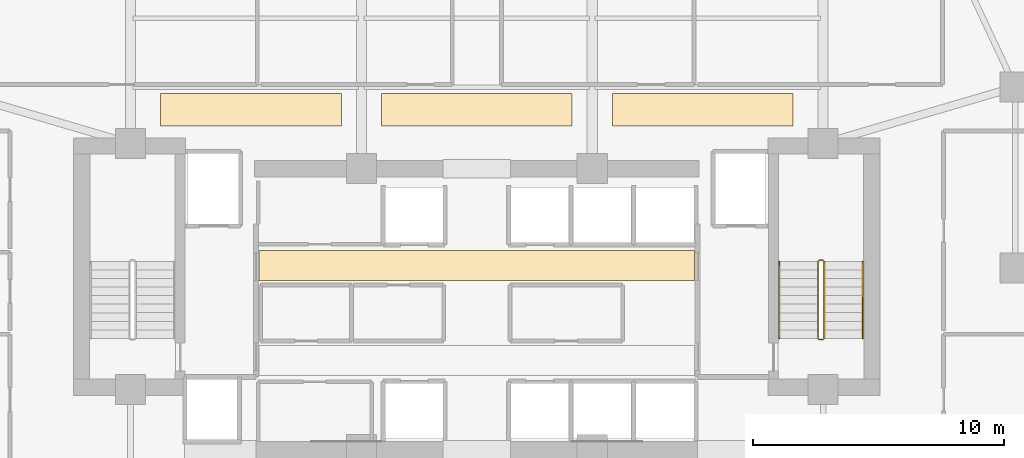
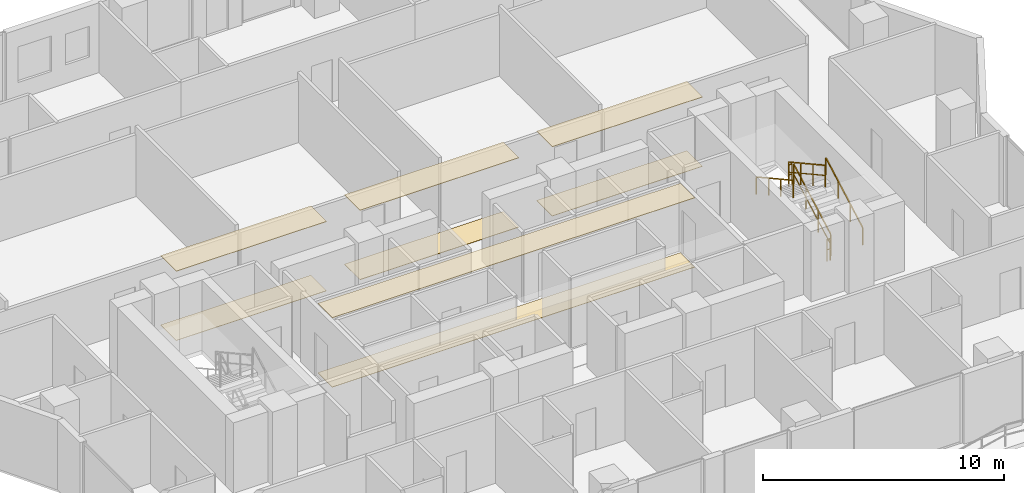
# One storey, part 30 of 32: 8 coverings, 6 railings.
"""IFC4 building model written with IfcOpenShell, lengths in metres."""

from ifc_helpers import new_model, si_unit, direction, frame, origin, origin_2d, place, context, subcontext, project, spatial, polyline, rectangle, outline, extrude, material, layer, layer_set, type_object, element, save


model = new_model("IFC4")

# Units and contexts
model_context = context("Model", 3, precision=1e-05, world=origin(), true_north=direction((0.0, 1.0)))
body_context = subcontext(model_context, "Body", "Model", "MODEL_VIEW")
ifc_project = project(units=[si_unit("LENGTHUNIT", "METRE"), si_unit("AREAUNIT", "SQUARE_METRE"), si_unit("VOLUMEUNIT", "CUBIC_METRE"), si_unit("PLANEANGLEUNIT", "RADIAN"), si_unit("MASSUNIT", "GRAM", prefix="KILO")], contexts=[model_context])

# Site, building, storey
site_placement = place(None, origin())
site = spatial("IfcSite", under=ifc_project, at=site_placement, CompositionType="ELEMENT")
building_placement = place(site_placement, origin())
building = spatial("IfcBuilding", under=site, at=building_placement, Name="Zuhayl Quay Hotel", CompositionType="ELEMENT")
storey_placement = place(building_placement, frame((0.0, 0.0, 188.64990234375)))
storey = spatial("IfcBuildingStorey", under=building, at=storey_placement, Name="L47", CompositionType="ELEMENT", Elevation=188.64990234375)

# Coverings
ifc_material_1 = material(Name="Acoustic Mineral-Fibre Gypsum Board")
ifc_layer_1 = layer(ifc_material_1, 0.02490234375, Name="Acoustic Mineral-Fibre Gypsum Board")
ifc_layer_set_1 = layer_set([ifc_layer_1], Name="Acoustic Mineral-Fibre Gypsum Board")
covering_type_1 = type_object("IfcCoveringType", Name="CV_CEIL_ACOUSTIC", PredefinedType="CEILING", material=ifc_layer_set_1)
covering_1_placement = place(storey_placement, frame((0.0, 0.0, 3.505126953125)))
element("IfcCovering", 1, at=covering_1_placement, inside=storey, type_object=covering_type_1, Name="L47 Suspended Acoustic Lobby Ceiling N", PredefinedType="CEILING", context=body_context, shape_type="SweptSolid", body=[
    extrude(outline(polyline([(-8.679931640625, 8.89990234375), (8.679931640625, 8.89990234375), (8.679931640625, 10.10009765625), (-8.679931640625, 10.10009765625), (-8.679931640625, 8.89990234375)])), origin(), (0.0, 0.0, 1.0), 0.02490234375),
])
covering_2_placement = place(storey_placement, frame((0.0, 0.0, 3.505126953125)))
element("IfcCovering", 2, at=covering_2_placement, inside=storey, type_object=covering_type_1, Name="L47 Guest Corridor Acoustic Ceiling CW", PredefinedType="CEILING", context=body_context, shape_type="SweptSolid", body=[
    extrude(outline(polyline([(-12.60009765625, 15.050048828125), (-5.39990234375, 15.050048828125), (-5.39990234375, 16.35009765625), (-12.60009765625, 16.35009765625), (-12.60009765625, 15.050048828125)])), origin(), (0.0, 0.0, 1.0), 0.02490234375),
])
covering_3_placement = place(storey_placement, frame((0.0, 0.0, 3.505126953125)))
element("IfcCovering", 3, at=covering_3_placement, inside=storey, type_object=covering_type_1, Name="L47 Guest Corridor Acoustic Ceiling CC", PredefinedType="CEILING", context=body_context, shape_type="SweptSolid", body=[
    extrude(outline(polyline([(-3.800048828125, 15.050048828125), (3.800048828125, 15.050048828125), (3.800048828125, 16.35009765625), (-3.800048828125, 16.35009765625), (-3.800048828125, 15.050048828125)])), origin(), (0.0, 0.0, 1.0), 0.02490234375),
])
covering_4_placement = place(storey_placement, frame((0.0, 0.0, 3.505126953125)))
element("IfcCovering", 4, at=covering_4_placement, inside=storey, type_object=covering_type_1, Name="L47 Guest Corridor Acoustic Ceiling CE", PredefinedType="CEILING", context=body_context, shape_type="SweptSolid", body=[
    extrude(outline(polyline([(5.39990234375, 15.050048828125), (12.60009765625, 15.050048828125), (12.60009765625, 16.35009765625), (5.39990234375, 16.35009765625), (5.39990234375, 15.050048828125)])), origin(), (0.0, 0.0, 1.0), 0.02490234375),
])
ifc_material_2 = material(Name="Polished Limestone Terrazzo", Category="masonry")
ifc_layer_2 = layer(ifc_material_2, 0.02001953125, Name="Polished Limestone Terrazzo", Category="masonry")
ifc_layer_set_2 = layer_set([ifc_layer_2], Name="Polished Limestone Terrazzo")
covering_type_2 = type_object("IfcCoveringType", Name="CV_FLOOR_TERRAZZO", PredefinedType="FLOORING", material=ifc_layer_set_2)
covering_5_placement = place(storey_placement, origin())
element("IfcCovering", 5, at=covering_5_placement, inside=storey, type_object=covering_type_2, Name="L47 Honed Limestone Terrazzo Lobby Flooring N", PredefinedType="FLOORING", context=body_context, shape_type="SweptSolid", body=[
    extrude(outline(polyline([(-8.679931640625, 8.89990234375), (8.679931640625, 8.89990234375), (8.679931640625, 10.10009765625), (-8.679931640625, 10.10009765625), (-8.679931640625, 8.89990234375)])), origin(), (0.0, 0.0, 1.0), 0.02001953125),
])
covering_6_placement = place(storey_placement, origin())
element("IfcCovering", 6, at=covering_6_placement, inside=storey, type_object=covering_type_2, Name="L47 Guest Corridor Terrazzo Runner CW", PredefinedType="FLOORING", context=body_context, shape_type="SweptSolid", body=[
    extrude(outline(polyline([(-12.60009765625, 15.050048828125), (-5.39990234375, 15.050048828125), (-5.39990234375, 16.35009765625), (-12.60009765625, 16.35009765625), (-12.60009765625, 15.050048828125)])), origin(), (0.0, 0.0, 1.0), 0.02001953125),
])
covering_7_placement = place(storey_placement, origin())
element("IfcCovering", 7, at=covering_7_placement, inside=storey, type_object=covering_type_2, Name="L47 Guest Corridor Terrazzo Runner CC", PredefinedType="FLOORING", context=body_context, shape_type="SweptSolid", body=[
    extrude(outline(polyline([(-3.800048828125, 15.050048828125), (3.800048828125, 15.050048828125), (3.800048828125, 16.35009765625), (-3.800048828125, 16.35009765625), (-3.800048828125, 15.050048828125)])), origin(), (0.0, 0.0, 1.0), 0.02001953125),
])
covering_8_placement = place(storey_placement, origin())
element("IfcCovering", 8, at=covering_8_placement, inside=storey, type_object=covering_type_2, Name="L47 Guest Corridor Terrazzo Runner CE", PredefinedType="FLOORING", context=body_context, shape_type="SweptSolid", body=[
    extrude(outline(polyline([(5.39990234375, 15.050048828125), (12.60009765625, 15.050048828125), (12.60009765625, 16.35009765625), (5.39990234375, 16.35009765625), (5.39990234375, 15.050048828125)])), origin(), (0.0, 0.0, 1.0), 0.02001953125),
])

# Railings
ifc_material_3 = material(Name="Steel ASTM A992 Grade 50", Category="steel")
railing_type_1 = type_object("IfcRailingType", Name="RL_GUARD_1100", PredefinedType="GUARDRAIL", material=ifc_material_3)
railing_1_placement = place(storey_placement, frame((13.840087890625, 6.590087890625, 0.1875)))
element("IfcRailing", 9, at=railing_1_placement, inside=storey, type_object=railing_type_1, Name="L47 ST2 stair guard 1", PredefinedType="GUARDRAIL", context=body_context, shape_type="SweptSolid", body=[
    extrude(rectangle(XDim=0.048095703125, YDim=0.048095703125, at=origin_2d()), frame((0.0, 0.0, 1.09619140625), z_axis=(0.0, 0.875659195171, 0.482929574485), x_axis=(-1.0, 0.0, 0.0)), (0.0, 0.0, 1.0), 3.494384765625),
    extrude(rectangle(XDim=0.0361328125, YDim=0.0361328125, at=origin_2d()), frame((0.0, 0.0, 0.58251953125), z_axis=(0.0, 0.875659195171, 0.482929574485), x_axis=(-1.0, 0.0, 0.0)), (0.0, 0.0, 1.0), 3.494384765625),
    extrude(rectangle(XDim=0.0419921875, YDim=0.0419921875, at=origin_2d()), origin(), (0.0, 0.0, 1.0), 1.072021484375),
    extrude(rectangle(XDim=0.0419921875, YDim=0.0419921875, at=origin_2d()), frame((0.0, 1.02001953125, 0.5625)), (0.0, 0.0, 1.0), 1.072021484375),
    extrude(rectangle(XDim=0.0419921875, YDim=0.0419921875, at=origin_2d()), frame((0.0, 2.039794921875, 1.125)), (0.0, 0.0, 1.0), 1.072021484375),
    extrude(rectangle(XDim=0.0419921875, YDim=0.0419921875, at=origin_2d()), frame((0.0, 3.059814453125, 1.6875)), (0.0, 0.0, 1.0), 1.072021484375),
])
railing_2_placement = place(storey_placement, frame((13.7900390625, 9.699951171875, 1.875)))
element("IfcRailing", 10, at=railing_2_placement, inside=storey, type_object=railing_type_1, Name="L47 ST2 stair guard 2", PredefinedType="GUARDRAIL", context=body_context, shape_type="SweptSolid", body=[
    extrude(rectangle(XDim=0.048095703125, YDim=0.048095703125, at=origin_2d()), frame((0.0, 0.0, 1.09619140625), z_axis=(-1.0, 0.0, 0.0), x_axis=(0.0, -1.0, 0.0)), (0.0, 0.0, 1.0), 0.150146484375),
    extrude(rectangle(XDim=0.0361328125, YDim=0.0361328125, at=origin_2d()), frame((0.0, 0.0, 0.58251953125), z_axis=(-1.0, 0.0, 0.0), x_axis=(0.0, -1.0, 0.0)), (0.0, 0.0, 1.0), 0.150146484375),
    extrude(rectangle(XDim=0.0419921875, YDim=0.0419921875, at=origin_2d()), origin(), (0.0, 0.0, 1.0), 1.072021484375),
    extrude(rectangle(XDim=0.0419921875, YDim=0.0419921875, at=origin_2d()), frame((-0.150146484375, 0.0, 0.0)), (0.0, 0.0, 1.0), 1.072021484375),
])
railing_3_placement = place(storey_placement, frame((13.590087890625, 9.64990234375, 2.0625)))
element("IfcRailing", 11, at=railing_3_placement, inside=storey, type_object=railing_type_1, Name="L47 ST2 stair guard 3", PredefinedType="GUARDRAIL", context=body_context, shape_type="SweptSolid", body=[
    extrude(rectangle(XDim=0.048095703125, YDim=0.048095703125, at=origin_2d()), frame((0.0, 0.0, 1.09619140625), z_axis=(0.0, -0.875659195171, 0.482929574485), x_axis=(1.0, 0.0, 0.0)), (0.0, 0.0, 1.0), 3.494384765625),
    extrude(rectangle(XDim=0.0361328125, YDim=0.0361328125, at=origin_2d()), frame((0.0, 0.0, 0.58251953125), z_axis=(0.0, -0.875659195171, 0.482929574485), x_axis=(1.0, 0.0, 0.0)), (0.0, 0.0, 1.0), 3.494384765625),
    extrude(rectangle(XDim=0.0419921875, YDim=0.0419921875, at=origin_2d()), origin(), (0.0, 0.0, 1.0), 1.072021484375),
    extrude(rectangle(XDim=0.0419921875, YDim=0.0419921875, at=origin_2d()), frame((0.0, -1.02001953125, 0.5625)), (0.0, 0.0, 1.0), 1.072021484375),
    extrude(rectangle(XDim=0.0419921875, YDim=0.0419921875, at=origin_2d()), frame((0.0, -2.039794921875, 1.125)), (0.0, 0.0, 1.0), 1.072021484375),
    extrude(rectangle(XDim=0.0419921875, YDim=0.0419921875, at=origin_2d()), frame((0.0, -3.059814453125, 1.6875)), (0.0, 0.0, 1.0), 1.072021484375),
])
railing_4_placement = place(storey_placement, frame((13.7900390625, 6.5400390625, 0.0)))
element("IfcRailing", 12, at=railing_4_placement, inside=storey, type_object=railing_type_1, Name="L47 ST2 stair guard 4", PredefinedType="GUARDRAIL", context=body_context, shape_type="SweptSolid", body=[
    extrude(rectangle(XDim=0.048095703125, YDim=0.048095703125, at=origin_2d()), frame((0.0, 0.0, 1.09619140625), z_axis=(-1.0, 0.0, 0.0), x_axis=(0.0, -1.0, 0.0)), (0.0, 0.0, 1.0), 0.150146484375),
    extrude(rectangle(XDim=0.0361328125, YDim=0.0361328125, at=origin_2d()), frame((0.0, 0.0, 0.58251953125), z_axis=(-1.0, 0.0, 0.0), x_axis=(0.0, -1.0, 0.0)), (0.0, 0.0, 1.0), 0.150146484375),
    extrude(rectangle(XDim=0.0419921875, YDim=0.0419921875, at=origin_2d()), origin(), (0.0, 0.0, 1.0), 1.072021484375),
    extrude(rectangle(XDim=0.0419921875, YDim=0.0419921875, at=origin_2d()), frame((-0.150146484375, 0.0, 0.0)), (0.0, 0.0, 1.0), 1.072021484375),
])
railing_type_2 = type_object("IfcRailingType", Name="RL_HANDRAIL_920", PredefinedType="HANDRAIL", material=ifc_material_3)
railing_5_placement = place(storey_placement, frame((15.3798828125, 6.590087890625, 0.1875)))
element("IfcRailing", 13, at=railing_5_placement, inside=storey, type_object=railing_type_2, Name="L47 ST2 stair handrail 1", PredefinedType="HANDRAIL", context=body_context, shape_type="SweptSolid", body=[
    extrude(rectangle(XDim=0.048095703125, YDim=0.048095703125, at=origin_2d()), frame((0.0, 0.0, 0.8759765625), z_axis=(0.0, 0.875659195171, 0.482929574485), x_axis=(-1.0, 0.0, 0.0)), (0.0, 0.0, 1.0), 3.494384765625),
    extrude(rectangle(XDim=0.0419921875, YDim=0.0419921875, at=origin_2d()), origin(), (0.0, 0.0, 1.0), 0.851806640625),
    extrude(rectangle(XDim=0.0419921875, YDim=0.0419921875, at=origin_2d()), frame((0.0, 1.02001953125, 0.5625)), (0.0, 0.0, 1.0), 0.851806640625),
    extrude(rectangle(XDim=0.0419921875, YDim=0.0419921875, at=origin_2d()), frame((0.0, 2.039794921875, 1.125)), (0.0, 0.0, 1.0), 0.851806640625),
    extrude(rectangle(XDim=0.0419921875, YDim=0.0419921875, at=origin_2d()), frame((0.0, 3.059814453125, 1.6875)), (0.0, 0.0, 1.0), 0.851806640625),
])
railing_6_placement = place(storey_placement, frame((12.050048828125, 9.64990234375, 2.0625)))
element("IfcRailing", 14, at=railing_6_placement, inside=storey, type_object=railing_type_2, Name="L47 ST2 stair handrail 2", PredefinedType="HANDRAIL", context=body_context, shape_type="SweptSolid", body=[
    extrude(rectangle(XDim=0.048095703125, YDim=0.048095703125, at=origin_2d()), frame((0.0, 0.0, 0.8759765625), z_axis=(0.0, -0.875659195171, 0.482929574485), x_axis=(1.0, 0.0, 0.0)), (0.0, 0.0, 1.0), 3.494384765625),
    extrude(rectangle(XDim=0.0419921875, YDim=0.0419921875, at=origin_2d()), origin(), (0.0, 0.0, 1.0), 0.851806640625),
    extrude(rectangle(XDim=0.0419921875, YDim=0.0419921875, at=origin_2d()), frame((0.0, -1.02001953125, 0.5625)), (0.0, 0.0, 1.0), 0.851806640625),
    extrude(rectangle(XDim=0.0419921875, YDim=0.0419921875, at=origin_2d()), frame((0.0, -2.039794921875, 1.125)), (0.0, 0.0, 1.0), 0.851806640625),
    extrude(rectangle(XDim=0.0419921875, YDim=0.0419921875, at=origin_2d()), frame((0.0, -3.059814453125, 1.6875)), (0.0, 0.0, 1.0), 0.851806640625),
])

save(model, "model.ifc")
